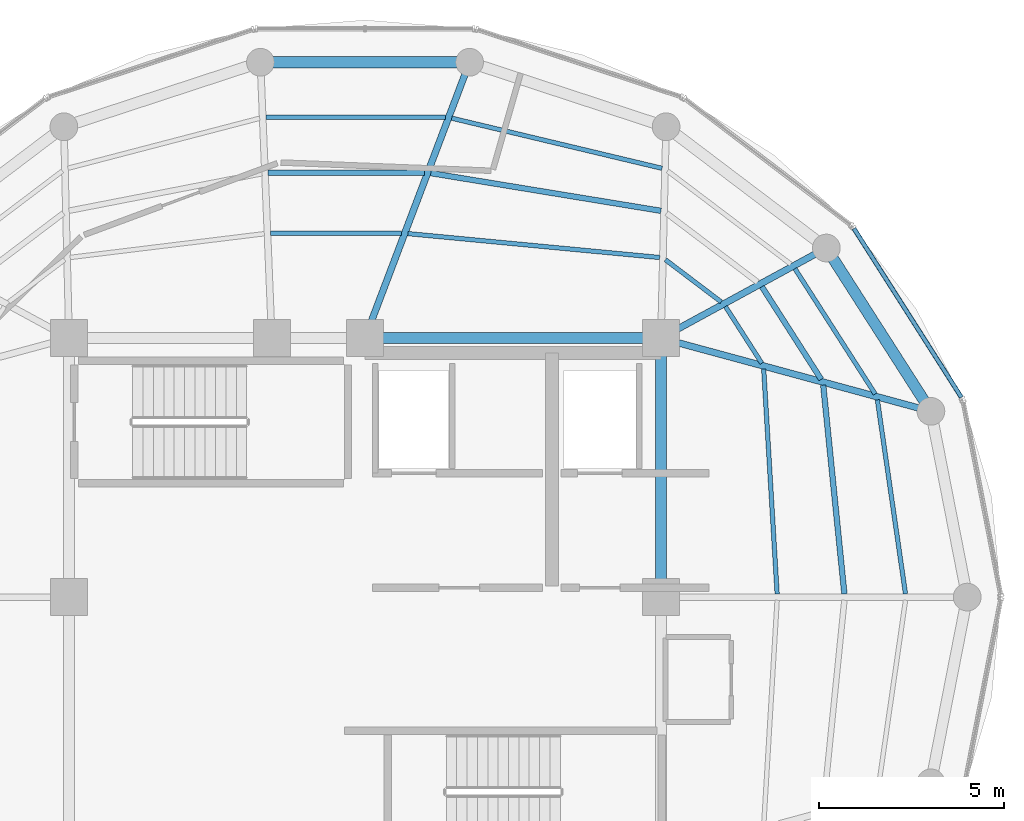
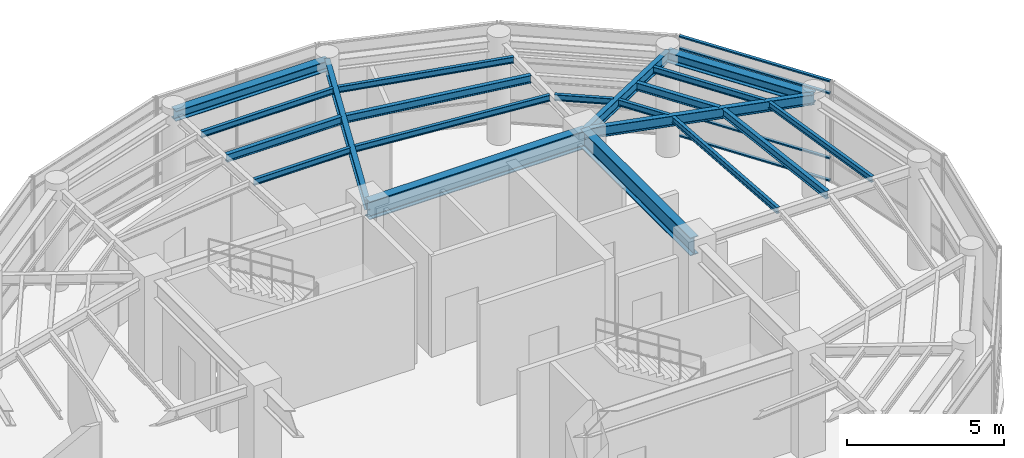
# One storey, part 12 of 19: 20 beams, 4 members, 1 element without a shape of its own.
"""IFC4 building model written with IfcOpenShell, lengths in metres."""

from ifc_helpers import new_model, si_unit, direction, frame, origin, origin_2d, place, context, subcontext, project, spatial, hollow_rectangle, i_section, extrude, material, layer, layer_set, material_profile, profile_set, type_object, element, aggregate, save


model = new_model("IFC4")

# Units and contexts
model_context = context("Model", 3, precision=1e-05, world=origin(), true_north=direction((0.0, 1.0)))
body_context = subcontext(model_context, "Body", "Model", "MODEL_VIEW")
ifc_project = project(units=[si_unit("LENGTHUNIT", "METRE"), si_unit("AREAUNIT", "SQUARE_METRE"), si_unit("VOLUMEUNIT", "CUBIC_METRE"), si_unit("PLANEANGLEUNIT", "RADIAN"), si_unit("MASSUNIT", "GRAM", prefix="KILO")], contexts=[model_context])

# Site, building, storey
site_placement = place(None, origin())
site = spatial("IfcSite", under=ifc_project, at=site_placement, CompositionType="ELEMENT")
building_placement = place(site_placement, origin())
building = spatial("IfcBuilding", under=site, at=building_placement, Name="Kelanora Arch Commons", CompositionType="ELEMENT")
storey_placement = place(building_placement, frame((0.0, 0.0, 302.699951171875)))
storey = spatial("IfcBuildingStorey", under=building, at=storey_placement, Name="L77", CompositionType="ELEMENT", Elevation=302.699951171875)

# Beams
ifc_material_1 = material(Name="Steel S355", Category="steel")
ifc_material_profile_1 = material_profile(ifc_material_1, i_section(OverallWidth=0.300048828125, OverallDepth=0.699951171875, WebThickness=0.01708984375, FlangeThickness=0.031982421875, FilletRadius=0.027099609375, at=origin_2d()), Name="HEB700")
ifc_profile_set_1 = profile_set([ifc_material_profile_1], Name="Steel S355")
beam_type_1 = type_object("IfcBeamType", Name="BM-CORE-HDR", PredefinedType="BEAM", material=ifc_profile_set_1)
beam_1_placement = place(storey_placement, frame((82.0, 58.0, 3.590087890625), z_axis=(0.0, 1.0, 0.0), x_axis=(-1.0, 0.0, 0.0)))
element("IfcBeam", 1, at=beam_1_placement, inside=storey, type_object=beam_type_1, Name="Core Header Beam 04 L77", PredefinedType="BEAM", context=body_context, shape_type="SweptSolid", body=[
    extrude(i_section(OverallWidth=0.300048828125, OverallDepth=0.699951171875, WebThickness=0.01708984375, FlangeThickness=0.031982421875, FilletRadius=0.027099609375, at=origin_2d()), origin(), (0.0, 0.0, 1.0), 7.0),
])
beam_2_placement = place(storey_placement, frame((82.0, 65.0, 3.590087890625), z_axis=(-1.0, 0.0, 0.0), x_axis=(0.0, -1.0, 0.0)))
element("IfcBeam", 2, at=beam_2_placement, inside=storey, type_object=beam_type_1, Name="Core Header Beam 05 L77", PredefinedType="BEAM", context=body_context, shape_type="SweptSolid", body=[
    extrude(i_section(OverallWidth=0.300048828125, OverallDepth=0.699951171875, WebThickness=0.01708984375, FlangeThickness=0.031982421875, FilletRadius=0.027099609375, at=origin_2d()), origin(), (0.0, 0.0, 1.0), 8.0),
])
ifc_material_profile_2 = material_profile(ifc_material_1, i_section(OverallWidth=0.14990234375, OverallDepth=0.300048828125, WebThickness=0.007080078125, FlangeThickness=0.0107421875, FilletRadius=0.014892578125, at=origin_2d()), Name="IPE300")
ifc_profile_set_2 = profile_set([ifc_material_profile_2], Name="Steel S355")
beam_type_2 = type_object("IfcBeamType", Name="BM-JST-01", PredefinedType="JOIST", material=ifc_profile_set_2)
beam_3_placement = place(storey_placement, frame((86.95947265625, 58.084716796875, 3.7900390625), z_axis=(-0.100846008885, 0.994902046682, 0.0), x_axis=(-0.994902046682, -0.100846008885, 0.0)))
element("IfcBeam", 3, at=beam_3_placement, inside=storey, type_object=beam_type_2, Name="Secondary Chord Joist BJB-00 L77", PredefinedType="JOIST", context=body_context, shape_type="SweptSolid", body=[
    extrude(i_section(OverallWidth=0.14990234375, OverallDepth=0.300048828125, WebThickness=0.007080078125, FlangeThickness=0.0107421875, FilletRadius=0.014892578125, at=origin_2d()), origin(), (0.0, 0.0, 1.0), 5.672119140625),
])
beam_4_placement = place(storey_placement, frame((86.3330078125, 63.884033203125, 3.7900390625), z_axis=(-0.539193378054, 0.84218198809, 0.0), x_axis=(-0.84218198809, -0.539193378054, 0.0)))
element("IfcBeam", 4, at=beam_4_placement, inside=storey, type_object=beam_type_2, Name="Secondary Chord Joist BJB-02 L77", PredefinedType="JOIST", context=body_context, shape_type="SweptSolid", body=[
    extrude(i_section(OverallWidth=0.14990234375, OverallDepth=0.300048828125, WebThickness=0.007080078125, FlangeThickness=0.0107421875, FilletRadius=0.014892578125, at=origin_2d()), origin(), (0.0, 0.0, 1.0), 2.975830078125),
])
beam_5_placement = place(storey_placement, frame((82.0, 68.441650390625, 3.7900390625), z_axis=(-0.986849654094, 0.16164083709, 0.0), x_axis=(-0.16164083709, -0.986849654094, 0.0)))
element("IfcBeam", 5, at=beam_5_placement, inside=storey, type_object=beam_type_2, Name="Secondary Chord Joist BJB-06 L77", PredefinedType="JOIST", context=body_context, shape_type="SweptSolid", body=[
    extrude(i_section(OverallWidth=0.14990234375, OverallDepth=0.300048828125, WebThickness=0.007080078125, FlangeThickness=0.0107421875, FilletRadius=0.014892578125, at=origin_2d()), origin(), (0.0, 0.0, 1.0), 6.302734375),
])
beam_6_placement = place(storey_placement, frame((75.611083984375, 69.47412109375, 3.7900390625), z_axis=(-1.0, 0.0, 0.0), x_axis=(0.0, -1.0, 0.0)))
element("IfcBeam", 6, at=beam_6_placement, inside=storey, type_object=beam_type_2, Name="Secondary Chord Joist BJB-08 L77", PredefinedType="JOIST", context=body_context, shape_type="SweptSolid", body=[
    extrude(i_section(OverallWidth=0.14990234375, OverallDepth=0.300048828125, WebThickness=0.007080078125, FlangeThickness=0.0107421875, FilletRadius=0.014892578125, at=origin_2d()), origin(), (0.0, 0.0, 1.0), 4.230224609375),
])
ifc_material_profile_3 = material_profile(ifc_material_1, i_section(OverallWidth=0.1201171875, OverallDepth=0.239990234375, WebThickness=0.006103515625, FlangeThickness=0.009765625, FilletRadius=0.014892578125, at=origin_2d()), Name="IPE240")
ifc_profile_set_3 = profile_set([ifc_material_profile_3], Name="Steel S355")
beam_type_3 = type_object("IfcBeamType", Name="BM-JST-02", PredefinedType="JOIST", material=ifc_profile_set_3)
beam_7_placement = place(storey_placement, frame((85.141357421875, 58.084716796875, 3.820068359375), z_axis=(-0.059619828045, 0.998221155909, 0.0), x_axis=(-0.998221155909, -0.059619828045, 0.0)))
element("IfcBeam", 7, at=beam_7_placement, inside=storey, type_object=beam_type_3, Name="Secondary Chord Joist BJA-00 L77", PredefinedType="JOIST", context=body_context, shape_type="SweptSolid", body=[
    extrude(i_section(OverallWidth=0.1201171875, OverallDepth=0.239990234375, WebThickness=0.006103515625, FlangeThickness=0.009765625, FilletRadius=0.014892578125, at=origin_2d()), origin(), (0.0, 0.0, 1.0), 6.089111328125),
])
beam_8_placement = place(storey_placement, frame((88.61181640625, 58.083984375, 3.820068359375), z_axis=(-0.143489842264, 0.989651789857, 0.0), x_axis=(-0.989651789857, -0.143489842264, 0.0)))
element("IfcBeam", 8, at=beam_8_placement, inside=storey, type_object=beam_type_3, Name="Secondary Chord Joist BJC-00 L77", PredefinedType="JOIST", context=body_context, shape_type="SweptSolid", body=[
    extrude(i_section(OverallWidth=0.1201171875, OverallDepth=0.239990234375, WebThickness=0.006103515625, FlangeThickness=0.009765625, FilletRadius=0.014892578125, at=origin_2d()), origin(), (0.0, 0.0, 1.0), 5.303466796875),
])
beam_9_placement = place(storey_placement, frame((84.7275390625, 64.319580078125, 3.820068359375), z_axis=(-0.539300812993, 0.842113194947, 0.0), x_axis=(-0.842113194947, -0.539300812993, 0.0)))
element("IfcBeam", 9, at=beam_9_placement, inside=storey, type_object=beam_type_3, Name="Secondary Chord Joist BJA-02 L77", PredefinedType="JOIST", context=body_context, shape_type="SweptSolid", body=[
    extrude(i_section(OverallWidth=0.1201171875, OverallDepth=0.239990234375, WebThickness=0.006103515625, FlangeThickness=0.009765625, FilletRadius=0.014892578125, at=origin_2d()), origin(), (0.0, 0.0, 1.0), 1.822021484375),
])
beam_10_placement = place(storey_placement, frame((87.792724609375, 63.48828125, 3.820068359375), z_axis=(-0.539232732312, 0.842156790867, 0.0), x_axis=(-0.842156790867, -0.539232732312, 0.0)))
element("IfcBeam", 10, at=beam_10_placement, inside=storey, type_object=beam_type_3, Name="Secondary Chord Joist BJC-02 L77", PredefinedType="JOIST", context=body_context, shape_type="SweptSolid", body=[
    extrude(i_section(OverallWidth=0.1201171875, OverallDepth=0.239990234375, WebThickness=0.006103515625, FlangeThickness=0.009765625, FilletRadius=0.014892578125, at=origin_2d()), origin(), (0.0, 0.0, 1.0), 4.024169921875),
])
beam_11_placement = place(storey_placement, frame((83.63134765625, 65.97705078125, 3.820068359375), z_axis=(-0.797424826317, 0.603418301324, 0.0), x_axis=(-0.603418301324, -0.797424826317, 0.0)))
element("IfcBeam", 11, at=beam_11_placement, inside=storey, type_object=beam_type_3, Name="Secondary Chord Joist BJA-04 L77", PredefinedType="JOIST", context=body_context, shape_type="SweptSolid", body=[
    extrude(i_section(OverallWidth=0.1201171875, OverallDepth=0.239990234375, WebThickness=0.006103515625, FlangeThickness=0.009765625, FilletRadius=0.014892578125, at=origin_2d()), origin(), (0.0, 0.0, 1.0), 1.893798828125),
])
beam_12_placement = place(storey_placement, frame((81.968505859375, 67.17919921875, 3.820068359375), z_axis=(-0.995523661296, 0.094512643594, 0.0), x_axis=(-0.094512643594, -0.995523661296, 0.0)))
element("IfcBeam", 12, at=beam_12_placement, inside=storey, type_object=beam_type_3, Name="Secondary Chord Joist BJA-06 L77", PredefinedType="JOIST", context=body_context, shape_type="SweptSolid", body=[
    extrude(i_section(OverallWidth=0.1201171875, OverallDepth=0.239990234375, WebThickness=0.006103515625, FlangeThickness=0.009765625, FilletRadius=0.014892578125, at=origin_2d()), origin(), (0.0, 0.0, 1.0), 6.840087890625),
])
beam_13_placement = place(storey_placement, frame((82.029296875, 69.59033203125, 3.820068359375), z_axis=(-0.972733556605, 0.231925479098, 0.0), x_axis=(-0.231925479098, -0.972733556605, 0.0)))
element("IfcBeam", 13, at=beam_13_placement, inside=storey, type_object=beam_type_3, Name="Secondary Chord Joist BJC-06 L77", PredefinedType="JOIST", context=body_context, shape_type="SweptSolid", body=[
    extrude(i_section(OverallWidth=0.1201171875, OverallDepth=0.239990234375, WebThickness=0.006103515625, FlangeThickness=0.009765625, FilletRadius=0.014892578125, at=origin_2d()), origin(), (0.0, 0.0, 1.0), 5.844482421875),
])
beam_14_placement = place(storey_placement, frame((74.9892578125, 67.833740234375, 3.820068359375), z_axis=(-1.0, 0.0, 0.0), x_axis=(0.0, -1.0, 0.0)))
element("IfcBeam", 14, at=beam_14_placement, inside=storey, type_object=beam_type_3, Name="Secondary Chord Joist BJA-08 L77", PredefinedType="JOIST", context=body_context, shape_type="SweptSolid", body=[
    extrude(i_section(OverallWidth=0.1201171875, OverallDepth=0.239990234375, WebThickness=0.006103515625, FlangeThickness=0.009765625, FilletRadius=0.014892578125, at=origin_2d()), origin(), (0.0, 0.0, 1.0), 3.541015625),
])
beam_15_placement = place(storey_placement, frame((76.176513671875, 70.965576171875, 3.820068359375), z_axis=(-1.0, 0.0, 0.0), x_axis=(0.0, -1.0, 0.0)))
element("IfcBeam", 15, at=beam_15_placement, inside=storey, type_object=beam_type_3, Name="Secondary Chord Joist BJC-08 L77", PredefinedType="JOIST", context=body_context, shape_type="SweptSolid", body=[
    extrude(i_section(OverallWidth=0.1201171875, OverallDepth=0.239990234375, WebThickness=0.006103515625, FlangeThickness=0.009765625, FilletRadius=0.014892578125, at=origin_2d()), origin(), (0.0, 0.0, 1.0), 4.857177734375),
])
ifc_material_profile_4 = material_profile(ifc_material_1, i_section(OverallWidth=0.179931640625, OverallDepth=0.39990234375, WebThickness=0.008544921875, FlangeThickness=0.013427734375, FilletRadius=0.02099609375, at=origin_2d()), Name="IPE400")
ifc_profile_set_4 = profile_set([ifc_material_profile_4], Name="Steel S355")
beam_type_4 = type_object("IfcBeamType", Name="BM-RAD-Z5", PredefinedType="BEAM", material=ifc_profile_set_4)
beam_16_placement = place(storey_placement, frame((82.0, 65.0, 3.739990234375), z_axis=(0.965145027625, -0.26171563891, 0.0), x_axis=(0.26171563891, 0.965145027625, 0.0)))
element("IfcBeam", 16, at=beam_16_placement, inside=storey, type_object=beam_type_4, Name="Radial Floor Girder BR-02 L77", PredefinedType="BEAM", context=body_context, shape_type="SweptSolid", body=[
    extrude(i_section(OverallWidth=0.179931640625, OverallDepth=0.39990234375, WebThickness=0.008544921875, FlangeThickness=0.013427734375, FilletRadius=0.02099609375, at=origin_2d()), origin(), (0.0, 0.0, 1.0), 7.561767578125),
])
beam_17_placement = place(storey_placement, frame((82.0, 65.0, 3.739990234375), z_axis=(0.878126355987, 0.478428785631, 0.0), x_axis=(-0.478428785631, 0.878126355987, 0.0)))
element("IfcBeam", 17, at=beam_17_placement, inside=storey, type_object=beam_type_4, Name="Radial Floor Girder BR-04 L77", PredefinedType="BEAM", context=body_context, shape_type="SweptSolid", body=[
    extrude(i_section(OverallWidth=0.179931640625, OverallDepth=0.39990234375, WebThickness=0.008544921875, FlangeThickness=0.013427734375, FilletRadius=0.02099609375, at=origin_2d()), origin(), (0.0, 0.0, 1.0), 5.091796875),
])
beam_18_placement = place(storey_placement, frame((74.0, 65.0, 3.739990234375), z_axis=(0.354476114465, 0.93506506954, 0.0), x_axis=(-0.93506506954, 0.354476114465, 0.0)))
element("IfcBeam", 18, at=beam_18_placement, inside=storey, type_object=beam_type_4, Name="Radial Floor Girder BR-08 L77", PredefinedType="BEAM", context=body_context, shape_type="SweptSolid", body=[
    extrude(i_section(OverallWidth=0.179931640625, OverallDepth=0.39990234375, WebThickness=0.008544921875, FlangeThickness=0.013427734375, FilletRadius=0.02099609375, at=origin_2d()), origin(), (0.0, 0.0, 1.0), 7.974853515625),
])
ifc_material_profile_5 = material_profile(ifc_material_1, i_section(OverallWidth=0.300048828125, OverallDepth=0.39990234375, WebThickness=0.013427734375, FlangeThickness=0.02392578125, FilletRadius=0.027099609375, at=origin_2d()), Name="HEB400")
ifc_profile_set_5 = profile_set([ifc_material_profile_5], Name="Steel S355")
beam_type_5 = type_object("IfcBeamType", Name="BM-SPN-Z4", PredefinedType="SPANDREL", material=ifc_profile_set_5)
beam_19_placement = place(storey_placement, frame((89.298095703125, 63.02099609375, 3.739990234375), z_axis=(-0.53922680048, 0.842160588987, 0.0), x_axis=(-0.842160588987, -0.53922680048, 0.0)))
element("IfcBeam", 19, at=beam_19_placement, inside=storey, type_object=beam_type_5, Name="Perimeter Spandrel Beam BS-02 L77", PredefinedType="SPANDREL", context=body_context, shape_type="SweptSolid", body=[
    extrude(i_section(OverallWidth=0.300048828125, OverallDepth=0.39990234375, WebThickness=0.013427734375, FlangeThickness=0.02392578125, FilletRadius=0.027099609375, at=origin_2d()), origin(), (0.0, 0.0, 1.0), 5.242431640625),
])
beam_20_placement = place(storey_placement, frame((76.826904296875, 72.45703125, 3.739990234375), z_axis=(-1.0, 0.0, 0.0), x_axis=(0.0, -1.0, 0.0)))
element("IfcBeam", 20, at=beam_20_placement, inside=storey, type_object=beam_type_5, Name="Perimeter Spandrel Beam BS-08 L77", PredefinedType="SPANDREL", context=body_context, shape_type="SweptSolid", body=[
    extrude(i_section(OverallWidth=0.300048828125, OverallDepth=0.39990234375, WebThickness=0.013427734375, FlangeThickness=0.02392578125, FilletRadius=0.027099609375, at=origin_2d()), origin(), (0.0, 0.0, 1.0), 5.65380859375),
])

# Curtain wall, members
ifc_material_2 = material(Name="Terracotta ceramic-fritted low-E glass and aluminium", Category="masonry")
ifc_layer = layer(ifc_material_2, 0.14990234375)
ifc_layer_set = layer_set([ifc_layer], Name="Terracotta ceramic-fritted low-E glass and aluminium")
curtain_wall_type = type_object("IfcCurtainWallType", Name="CW-SYS-06", PredefinedType="NOTDEFINED", material=ifc_layer_set)
curtain_wall_placement = place(storey_placement, origin())
curtain_wall = element("IfcCurtainWall", 21, at=curtain_wall_placement, inside=storey, type_object=curtain_wall_type, Name="Unitised Curtain Wall L77-B01", PredefinedType="NOTDEFINED")
ifc_material_3 = material(Name="Powder-coated aluminium terracotta", Category="masonry")
ifc_material_profile_6 = material_profile(ifc_material_3, hollow_rectangle(XDim=0.1201171875, YDim=0.06005859375, WallThickness=0.0048828125, InnerFilletRadius=0.0048828125, OuterFilletRadius=0.010009765625, at=origin_2d()), Name="CWT120x60")
ifc_profile_set_6 = profile_set([ifc_material_profile_6], Name="Powder-coated aluminium terracotta")
member_type = type_object("IfcMemberType", Name="CWT-STD", PredefinedType="USERDEFINED", material=ifc_profile_set_6)
member_1_placement = place(storey_placement, frame((90.122314453125, 63.39892578125, 0.030029296875), z_axis=(-0.536992252766, 0.843587174197, 0.0), x_axis=(-0.843587174197, -0.536992252766, 0.0)))
member_1 = element("IfcMember", 22, at=member_1_placement, type_object=member_type, Name="CW-06 transom 1.1", ObjectType="TRANSOM", PredefinedType="USERDEFINED", context=body_context, shape_type="SweptSolid", body=[
    extrude(hollow_rectangle(XDim=0.1201171875, YDim=0.06005859375, WallThickness=0.0048828125, InnerFilletRadius=0.0048828125, OuterFilletRadius=0.010009765625, at=origin_2d()), origin(), (0.0, 0.0, 1.0), 5.41162109375),
])
member_2_placement = place(storey_placement, frame((90.122314453125, 63.39892578125, 0.900146484375), z_axis=(-0.536992252766, 0.843587174197, 0.0), x_axis=(-0.843587174197, -0.536992252766, 0.0)))
member_2 = element("IfcMember", 23, at=member_2_placement, type_object=member_type, Name="CW-06 transom 1.2", ObjectType="TRANSOM", PredefinedType="USERDEFINED", context=body_context, shape_type="SweptSolid", body=[
    extrude(hollow_rectangle(XDim=0.1201171875, YDim=0.06005859375, WallThickness=0.0048828125, InnerFilletRadius=0.0048828125, OuterFilletRadius=0.010009765625, at=origin_2d()), origin(), (0.0, 0.0, 1.0), 5.41162109375),
])
member_3_placement = place(storey_placement, frame((90.122314453125, 63.39892578125, 3.425048828125), z_axis=(-0.536992252766, 0.843587174197, 0.0), x_axis=(-0.843587174197, -0.536992252766, 0.0)))
member_3 = element("IfcMember", 24, at=member_3_placement, type_object=member_type, Name="CW-06 transom 1.3", ObjectType="TRANSOM", PredefinedType="USERDEFINED", context=body_context, shape_type="SweptSolid", body=[
    extrude(hollow_rectangle(XDim=0.1201171875, YDim=0.06005859375, WallThickness=0.0048828125, InnerFilletRadius=0.0048828125, OuterFilletRadius=0.010009765625, at=origin_2d()), origin(), (0.0, 0.0, 1.0), 5.41162109375),
])
member_4_placement = place(storey_placement, frame((90.122314453125, 63.39892578125, 3.89501953125), z_axis=(-0.536992252766, 0.843587174197, 0.0), x_axis=(-0.843587174197, -0.536992252766, 0.0)))
member_4 = element("IfcMember", 25, at=member_4_placement, type_object=member_type, Name="CW-06 transom 1.4", ObjectType="TRANSOM", PredefinedType="USERDEFINED", context=body_context, shape_type="SweptSolid", body=[
    extrude(hollow_rectangle(XDim=0.1201171875, YDim=0.06005859375, WallThickness=0.0048828125, InnerFilletRadius=0.0048828125, OuterFilletRadius=0.010009765625, at=origin_2d()), origin(), (0.0, 0.0, 1.0), 5.41162109375),
])
aggregate(curtain_wall, [member_1, member_2, member_3, member_4])

save(model, "model.ifc")
